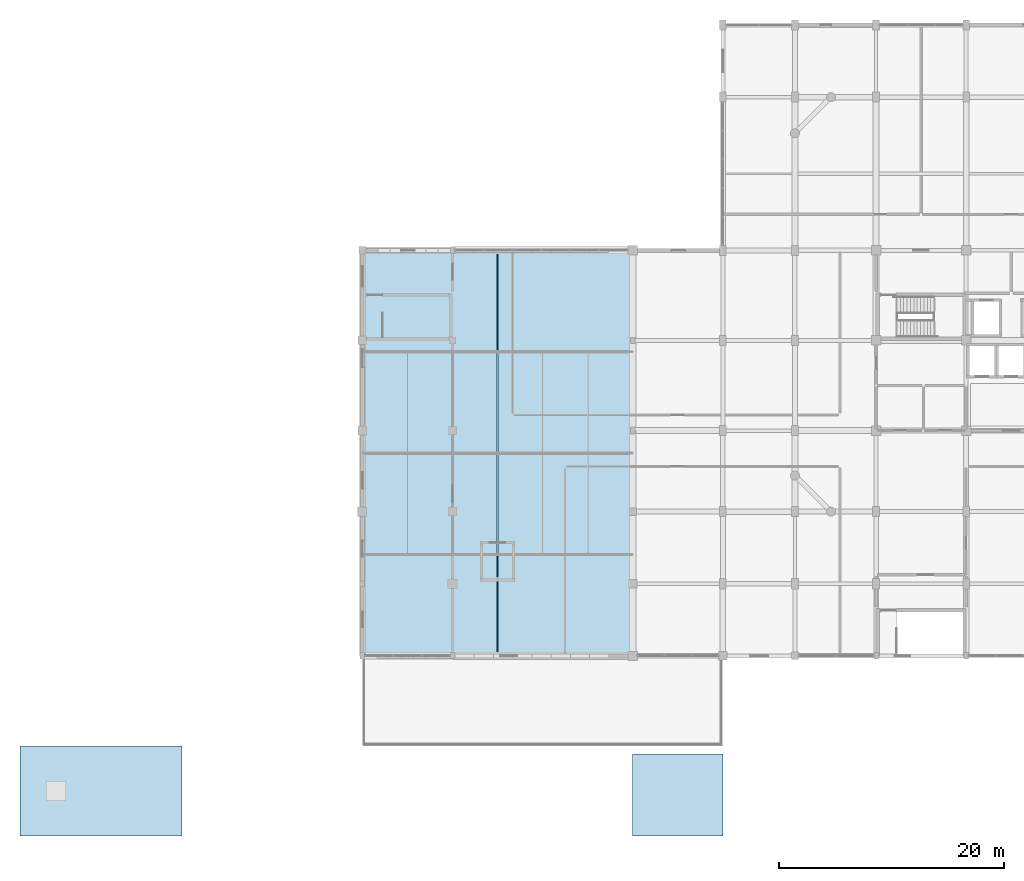
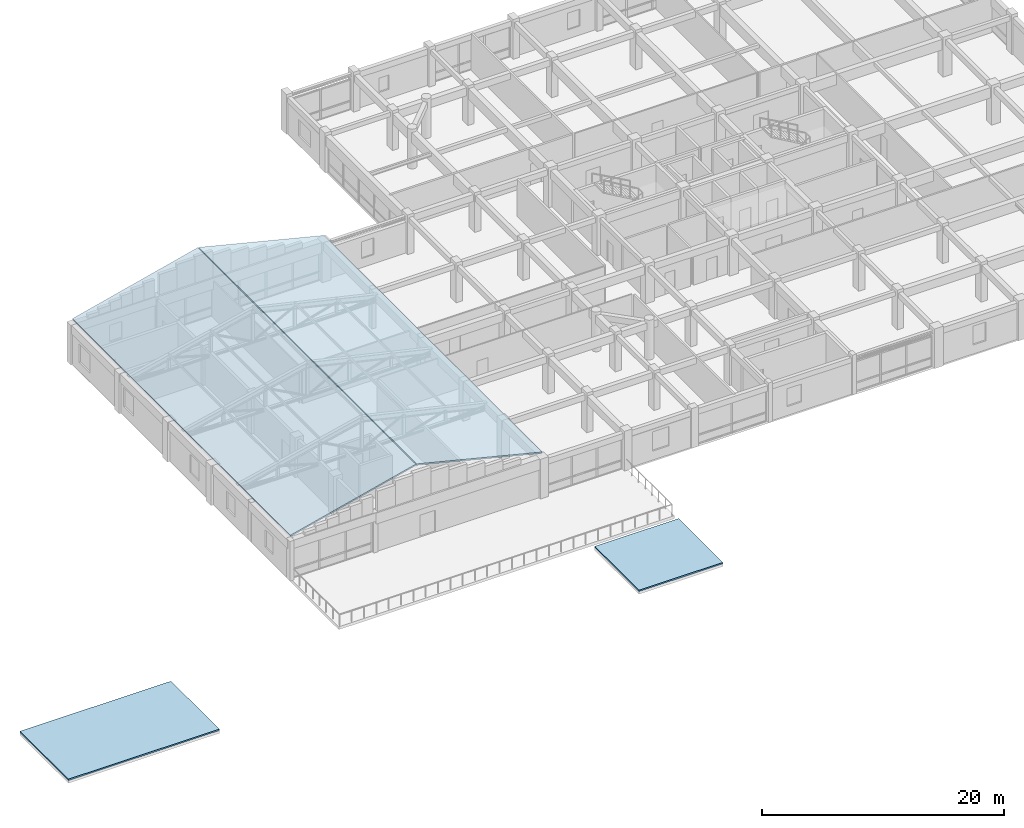
# One storey, part 25 of 27: 4 roofs.
"""IFC4 building model written with IfcOpenShell, lengths in metres."""

import ifcopenshell
import ifcopenshell.guid

model = None  # the IFC model being written
_history = None  # IfcOwnerHistory: only IFC2X3 demands one
_inside = {}  # id of a spatial element -> (the spatial element, [elements in it])
_under = {}  # id of a project, library or spatial element -> (it, [spatial elements below it])
_declared = {}  # id of a project -> (the project, [libraries it declares])
_typed = {}  # id of a type object -> (the type object, [elements of that type])
_made_of = {}  # id of a material, layer set ... -> (it, [elements and type objects made of it])


def new_model(schema):
    """Start an empty IFC model of exactly this schema.

    Asked for "IFC4X3", IfcOpenShell would pick the latest addendum, in which some entities
    have other attributes; the version numbers below select the first issue.
    IFC2X3 requires an IfcOwnerHistory on every rooted entity: one is made here for all.
    """
    global model, _history
    if schema == "IFC4X3":
        model = ifcopenshell.file(schema_version=(4, 3, 0, 0))
    else:
        model = ifcopenshell.file(schema=schema)
    _inside.clear()
    _under.clear()
    _declared.clear()
    _typed.clear()
    _made_of.clear()
    _history = None
    if model.schema == "IFC2X3":
        org = make("IfcOrganization", Name="unknown")
        user = make(
            "IfcPersonAndOrganization",
            ThePerson=make("IfcPerson", FamilyName="unknown"),
            TheOrganization=org,
        )
        app = make(
            "IfcApplication",
            ApplicationDeveloper=org,
            Version="unknown",
            ApplicationFullName="unknown",
            ApplicationIdentifier="unknown",
        )
        _history = make(
            "IfcOwnerHistory",
            OwningUser=user,
            OwningApplication=app,
            ChangeAction="ADDED",
            CreationDate=0,
        )
    return model


def make(cls, **values):
    """One entity of the class cls with the attributes given. An attribute that is None is left unset."""
    return model.create_entity(
        cls, **{name: value for name, value in values.items() if value is not None}
    )


def rooted(cls, **values):
    """An entity with a GlobalId (a new one), such as an element, a storey or a relation."""
    return make(cls, GlobalId=ifcopenshell.guid.new(), OwnerHistory=_history, **values)


def si_unit(unit_type, name, prefix=None):
    """IfcSIUnit, for example si_unit("LENGTHUNIT", "METRE", prefix="MILLI")."""
    return make("IfcSIUnit", UnitType=unit_type, Prefix=prefix, Name=name)


def assignment(units):
    """IfcUnitAssignment: the units of a project."""
    return None if units is None else make("IfcUnitAssignment", Units=units)


def point(xyz):
    """IfcCartesianPoint."""
    return None if xyz is None else make("IfcCartesianPoint", Coordinates=xyz)


def direction(xyz):
    """IfcDirection."""
    return None if xyz is None else make("IfcDirection", DirectionRatios=xyz)


def frame(location, z_axis=None, x_axis=None):
    """IfcAxis2Placement3D, a coordinate frame: its origin and axes. An axis left out is left unset."""
    return make(
        "IfcAxis2Placement3D",
        Location=point(location),
        Axis=direction(z_axis),
        RefDirection=direction(x_axis),
    )


def origin():
    """The frame at (0, 0, 0) with its axes left unset."""
    return frame((0.0, 0.0, 0.0))


def place(relative_to, where):
    """IfcLocalPlacement: puts the frame where relative to a parent placement (None: the world)."""
    return make(
        "IfcLocalPlacement", PlacementRelTo=relative_to, RelativePlacement=where
    )


def context(
    kind, dimensions, precision=None, world=None, true_north=None, identifier=None
):
    """IfcGeometricRepresentationContext, for example the 3D "Model" context."""
    return make(
        "IfcGeometricRepresentationContext",
        ContextIdentifier=identifier,
        ContextType=kind,
        CoordinateSpaceDimension=dimensions,
        Precision=precision,
        WorldCoordinateSystem=world,
        TrueNorth=true_north,
    )


def subcontext(parent, identifier, kind, view, scale=None):
    """IfcGeometricRepresentationSubContext, for example "Body" below "Model"."""
    return make(
        "IfcGeometricRepresentationSubContext",
        ContextIdentifier=identifier,
        ContextType=kind,
        ParentContext=parent,
        TargetScale=scale,
        TargetView=view,
    )


def project(units=None, contexts=None):
    """IfcProject with its units and contexts."""
    return rooted(
        "IfcProject",
        Name="project",
        RepresentationContexts=contexts,
        UnitsInContext=assignment(units),
    )


def spatial(cls, under=None, at=None, **own):
    """A site, building, storey or space (cls), placed at a placement, below another one or the project."""
    s = rooted(cls, ObjectPlacement=at, **own)
    if under is not None:
        _under.setdefault(under.id(), (under, []))[1].append(s)
    return s


def polyline(points):
    """IfcPolyline through the points."""
    return make("IfcPolyline", Points=[point(p) for p in points])


def outline(outer, holes=None, kind="AREA"):
    """IfcArbitraryClosedProfileDef: a profile drawn as a closed curve; with holes, ...WithVoids."""
    if holes is None:
        return make("IfcArbitraryClosedProfileDef", ProfileType=kind, OuterCurve=outer)
    return make(
        "IfcArbitraryProfileDefWithVoids",
        ProfileType=kind,
        OuterCurve=outer,
        InnerCurves=holes,
    )


def extrude(swept, where, along, depth):
    """IfcExtrudedAreaSolid: the profile swept, set in the frame where, extruded along a direction by depth."""
    return make(
        "IfcExtrudedAreaSolid",
        SweptArea=swept,
        Position=where,
        ExtrudedDirection=direction(along),
        Depth=depth,
    )


def shape(context_of_items, identifier, shape_type, items):
    """IfcShapeRepresentation: the items that make up one representation, for example the "Body"."""
    return make(
        "IfcShapeRepresentation",
        ContextOfItems=context_of_items,
        RepresentationIdentifier=identifier,
        RepresentationType=shape_type,
        Items=items,
    )


def material(Name=None, Category=None):
    """IfcMaterial."""
    return make("IfcMaterial", Name=Name, Category=Category)


def layer(
    of_material, thickness, ventilated=None, Name=None, Category=None, Priority=None
):
    """IfcMaterialLayer: one layer of a wall or slab, of a material (None: an air gap)."""
    return make(
        "IfcMaterialLayer",
        Material=of_material,
        LayerThickness=thickness,
        IsVentilated=ventilated,
        Name=Name,
        Category=Category,
        Priority=Priority,
    )


def layer_set(layers, Name=None):
    """IfcMaterialLayerSet."""
    return make("IfcMaterialLayerSet", MaterialLayers=layers, LayerSetName=Name)


def made_of(thing, what):
    """Note that an element or type object is made of a material, layer set ...; save() writes the relation."""
    if what is not None:
        _made_of.setdefault(what.id(), (what, []))[1].append(thing)
    return thing


def type_object(cls, material=None, **own):
    """A type object (cls), such as IfcWallType, which elements share."""
    return made_of(rooted(cls, **own), material)


def element(
    cls,
    number,
    at=None,
    inside=None,
    cuts=None,
    type_object=None,
    material=None,
    context=None,
    identifier="Body",
    shape_type=None,
    held_by="IfcProductDefinitionShape",
    body=None,
    shapes=None,
    **own,
):
    """One element of the class cls, such as IfcWall. Its Tag is "e" and its number.

    at: its placement. inside: the storey or other place that contains it. cuts: it is an
    opening in that element (IfcRelVoidsElement). A single representation is given by context,
    identifier, shape_type and body (its items); several are given by shapes. held_by: the class
    of the entity that holds the representations. save() writes the other relations.
    """
    e = rooted(cls, Tag="e%d" % number, ObjectPlacement=at, **own)
    if body is not None:
        shapes = [shape(context, identifier, shape_type, body)]
    if shapes is not None:
        e.Representation = make(held_by, Representations=shapes)
    if inside is not None:
        _inside.setdefault(inside.id(), (inside, []))[1].append(e)
    if cuts is not None:
        rooted(
            "IfcRelVoidsElement", RelatingBuildingElement=cuts, RelatedOpeningElement=e
        )
    if type_object is not None:
        _typed.setdefault(type_object.id(), (type_object, []))[1].append(e)
    return made_of(e, material)


def aggregate(whole, parts):
    """IfcRelAggregates: a whole, such as a stair, and the parts it consists of."""
    return rooted("IfcRelAggregates", RelatingObject=whole, RelatedObjects=parts)


def save(model, path):
    """Write the relations noted so far, then the file.

    IfcRelAggregates (storeys below a building ...), IfcRelContainedInSpatialStructure (elements
    in a storey), IfcRelDefinesByType, IfcRelAssociatesMaterial and IfcRelDeclares: one each for
    every whole, place, type object, material and project.
    """
    for whole, parts in _under.values():
        aggregate(whole, parts)
    for where, things in _inside.values():
        rooted(
            "IfcRelContainedInSpatialStructure",
            RelatedElements=things,
            RelatingStructure=where,
        )
    for kind, things in _typed.values():
        rooted("IfcRelDefinesByType", RelatedObjects=things, RelatingType=kind)
    for what, things in _made_of.values():
        rooted("IfcRelAssociatesMaterial", RelatedObjects=things, RelatingMaterial=what)
    for by, libraries in _declared.values():
        rooted("IfcRelDeclares", RelatingContext=by, RelatedDefinitions=libraries)
    model.write(path)


model = new_model("IFC4")

# Units and contexts
model_context = context("Model", 3, precision=1e-05, world=origin(), true_north=direction((0.0, 1.0)))
body_context = subcontext(model_context, "Body", "Model", "MODEL_VIEW")
ifc_project = project(units=[si_unit("LENGTHUNIT", "METRE"), si_unit("AREAUNIT", "SQUARE_METRE"), si_unit("VOLUMEUNIT", "CUBIC_METRE"), si_unit("PLANEANGLEUNIT", "RADIAN"), si_unit("MASSUNIT", "GRAM", prefix="KILO")], contexts=[model_context])

# Site, building, storey
site_placement = place(None, origin())
site = spatial("IfcSite", under=ifc_project, at=site_placement, CompositionType="ELEMENT")
building_placement = place(site_placement, origin())
building = spatial("IfcBuilding", under=site, at=building_placement, Name="Vellmiral Cinema and Media Centre", CompositionType="ELEMENT")
storey_placement = place(building_placement, frame((0.0, 0.0, 19.800048828125)))
storey = spatial("IfcBuildingStorey", under=building, at=storey_placement, Name="L04", CompositionType="ELEMENT", Elevation=19.800048828125)

# Roofs
ifc_material_1 = material(Name="Catalan Glazed Ceramic Vault Tile")
ifc_layer_1 = layer(ifc_material_1, 0.139892578125, Name="Catalan Glazed Ceramic Vault Tile")
ifc_layer_set_1 = layer_set([ifc_layer_1], Name="Catalan Glazed Ceramic Vault Tile")
roof_type_1 = type_object("IfcRoofType", Name="ROOF-BARREL-VAULT", PredefinedType="BARREL_ROOF", material=ifc_layer_set_1)
roof_1_placement = place(storey_placement, frame((78.39990234375, 59.199951171875, 4.370849609375), z_axis=(-0.241929649535, 0.0, 0.97029379297), x_axis=(0.97029379297, 0.0, 0.241929649535)))
element("IfcRoof", 1, at=roof_1_placement, inside=storey, type_object=roof_type_1, Name="Stepped Broadcast Bridge Barrel Vault Catalan Ceramic Vault A", PredefinedType="BARREL_ROOF", context=body_context, shape_type="SweptSolid", body=[
    extrude(outline(polyline([(0.0, 0.0), (12.324613617436892, 0.0), (12.324613617436892, 36.0), (0.0, 36.0), (0.0, 0.0)])), origin(), (0.0, 0.0, -1.0), 0.139892578125),
])
roof_2_placement = place(storey_placement, frame((90.441650390625, 59.199951171875, 7.3525390625), z_axis=(0.241934299688, 0.0, 0.970292633505), x_axis=(0.970292633505, 0.0, -0.241934299688)))
element("IfcRoof", 2, at=roof_2_placement, inside=storey, type_object=roof_type_1, Name="Stepped Broadcast Bridge Barrel Vault Catalan Ceramic Vault B", PredefinedType="BARREL_ROOF", context=body_context, shape_type="SweptSolid", body=[
    extrude(outline(polyline([(0.0, 0.0), (12.324376729445378, 0.0), (12.324376729445378, 36.0), (0.0, 36.0), (0.0, 0.0)])), origin(), (0.0, 0.0, -1.0), 0.139892578125),
])
ifc_material_2 = material(Name="Insulated Waterproof Roof Build-up")
ifc_layer_2 = layer(ifc_material_2, 0.139892578125, Name="Insulated Waterproof Roof Build-up")
ifc_layer_set_2 = layer_set([ifc_layer_2], Name="Insulated Waterproof Roof Build-up")
roof_type_2 = type_object("IfcRoofType", Name="ROOF-FLAT-MEMBRANE", PredefinedType="FLAT_ROOF", material=ifc_layer_set_2)
roof_3_placement = place(storey_placement, origin())
element("IfcRoof", 3, at=roof_3_placement, inside=storey, type_object=roof_type_2, Name="Setback Flat Waterproof Roof SB04-STP3", PredefinedType="FLAT_ROOF", context=body_context, shape_type="SweptSolid", body=[
    extrude(outline(polyline([(48.0, 43.199951171875), (62.39990234375, 43.199951171875), (62.39990234375, 51.179931640625), (48.0, 51.179931640625), (48.0, 43.199951171875)])), origin(), (0.0, 0.0, 1.0), 0.139892578125),
])
roof_4_placement = place(storey_placement, origin())
element("IfcRoof", 4, at=roof_4_placement, inside=storey, type_object=roof_type_2, Name="Setback Flat Waterproof Roof SB04-STP4", PredefinedType="FLAT_ROOF", context=body_context, shape_type="SweptSolid", body=[
    extrude(outline(polyline([(102.39990234375, 43.199951171875), (110.39990234375, 43.199951171875), (110.39990234375, 50.5), (102.39990234375, 50.5), (102.39990234375, 43.199951171875)])), origin(), (0.0, 0.0, 1.0), 0.139892578125),
])

save(model, "model.ifc")
